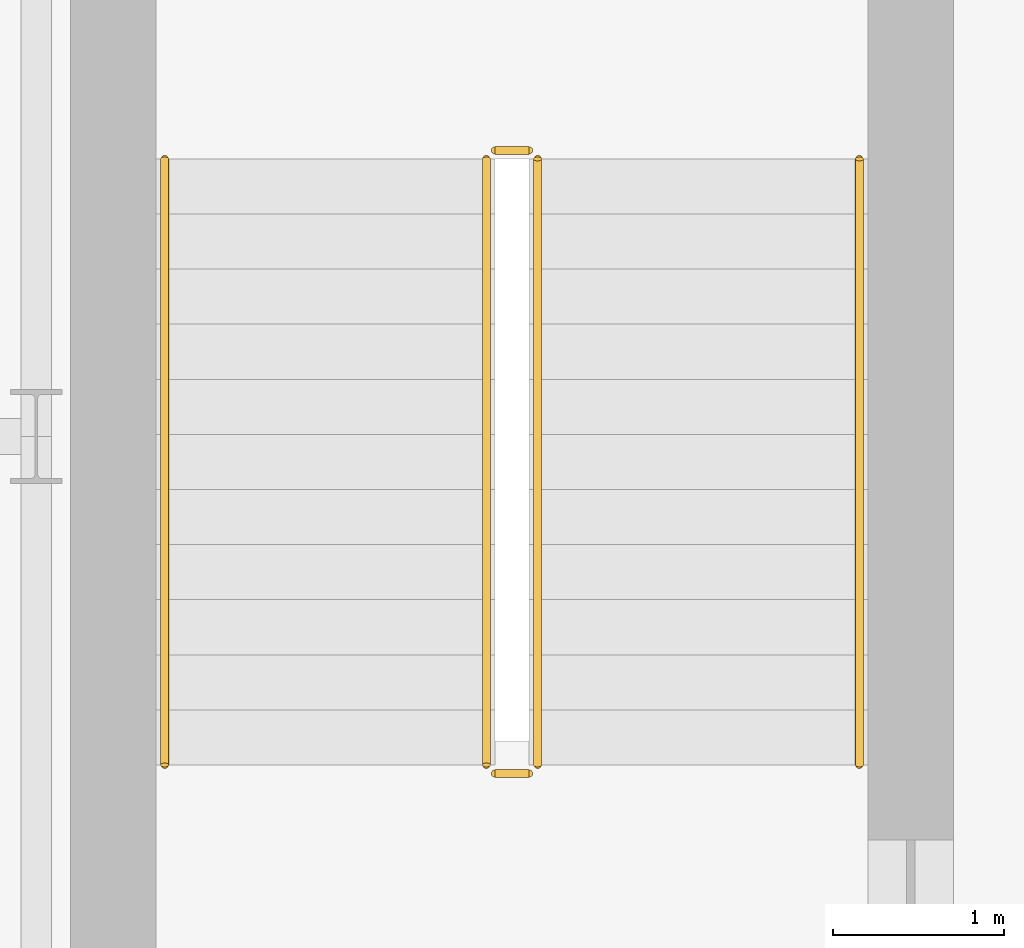
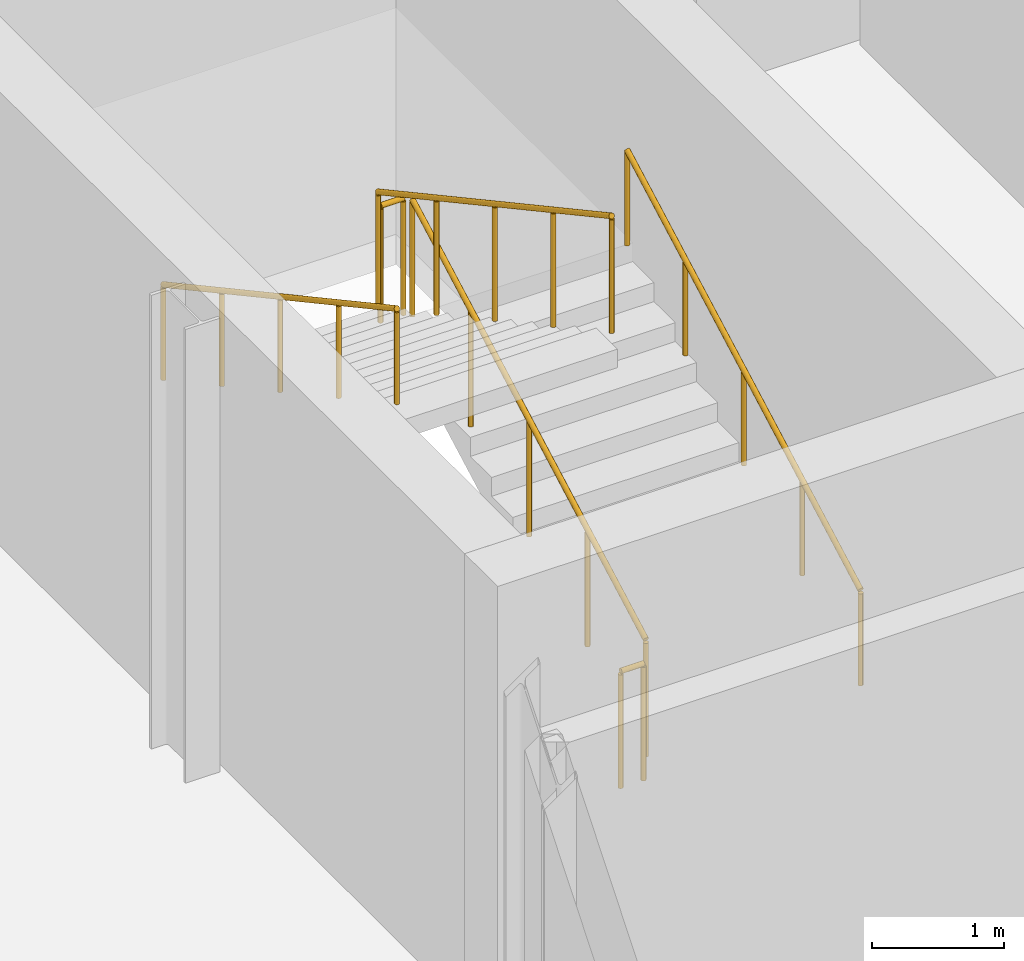
# One storey, part 55 of 58: 6 railings.
"""IFC4 building model written with IfcOpenShell, lengths in metres."""

import ifcopenshell
import ifcopenshell.guid

model = None  # the IFC model being written
_history = None  # IfcOwnerHistory: only IFC2X3 demands one
_inside = {}  # id of a spatial element -> (the spatial element, [elements in it])
_under = {}  # id of a project, library or spatial element -> (it, [spatial elements below it])
_declared = {}  # id of a project -> (the project, [libraries it declares])
_typed = {}  # id of a type object -> (the type object, [elements of that type])
_made_of = {}  # id of a material, layer set ... -> (it, [elements and type objects made of it])


def new_model(schema):
    """Start an empty IFC model of exactly this schema.

    Asked for "IFC4X3", IfcOpenShell would pick the latest addendum, in which some entities
    have other attributes; the version numbers below select the first issue.
    IFC2X3 requires an IfcOwnerHistory on every rooted entity: one is made here for all.
    """
    global model, _history
    if schema == "IFC4X3":
        model = ifcopenshell.file(schema_version=(4, 3, 0, 0))
    else:
        model = ifcopenshell.file(schema=schema)
    _inside.clear()
    _under.clear()
    _declared.clear()
    _typed.clear()
    _made_of.clear()
    _history = None
    if model.schema == "IFC2X3":
        org = make("IfcOrganization", Name="unknown")
        user = make(
            "IfcPersonAndOrganization",
            ThePerson=make("IfcPerson", FamilyName="unknown"),
            TheOrganization=org,
        )
        app = make(
            "IfcApplication",
            ApplicationDeveloper=org,
            Version="unknown",
            ApplicationFullName="unknown",
            ApplicationIdentifier="unknown",
        )
        _history = make(
            "IfcOwnerHistory",
            OwningUser=user,
            OwningApplication=app,
            ChangeAction="ADDED",
            CreationDate=0,
        )
    return model


def make(cls, **values):
    """One entity of the class cls with the attributes given. An attribute that is None is left unset."""
    return model.create_entity(
        cls, **{name: value for name, value in values.items() if value is not None}
    )


def rooted(cls, **values):
    """An entity with a GlobalId (a new one), such as an element, a storey or a relation."""
    return make(cls, GlobalId=ifcopenshell.guid.new(), OwnerHistory=_history, **values)


def si_unit(unit_type, name, prefix=None):
    """IfcSIUnit, for example si_unit("LENGTHUNIT", "METRE", prefix="MILLI")."""
    return make("IfcSIUnit", UnitType=unit_type, Prefix=prefix, Name=name)


def assignment(units):
    """IfcUnitAssignment: the units of a project."""
    return None if units is None else make("IfcUnitAssignment", Units=units)


def point(xyz):
    """IfcCartesianPoint."""
    return None if xyz is None else make("IfcCartesianPoint", Coordinates=xyz)


def direction(xyz):
    """IfcDirection."""
    return None if xyz is None else make("IfcDirection", DirectionRatios=xyz)


def frame(location, z_axis=None, x_axis=None):
    """IfcAxis2Placement3D, a coordinate frame: its origin and axes. An axis left out is left unset."""
    return make(
        "IfcAxis2Placement3D",
        Location=point(location),
        Axis=direction(z_axis),
        RefDirection=direction(x_axis),
    )


def frame_2d(location, x_axis=None):
    """IfcAxis2Placement2D, a coordinate frame in the plane: its origin and x axis."""
    return make(
        "IfcAxis2Placement2D", Location=point(location), RefDirection=direction(x_axis)
    )


def origin():
    """The frame at (0, 0, 0) with its axes left unset."""
    return frame((0.0, 0.0, 0.0))


def origin_2d():
    """The frame at (0, 0) in the plane with its x axis left unset."""
    return frame_2d((0.0, 0.0))


def place(relative_to, where):
    """IfcLocalPlacement: puts the frame where relative to a parent placement (None: the world)."""
    return make(
        "IfcLocalPlacement", PlacementRelTo=relative_to, RelativePlacement=where
    )


def context(
    kind, dimensions, precision=None, world=None, true_north=None, identifier=None
):
    """IfcGeometricRepresentationContext, for example the 3D "Model" context."""
    return make(
        "IfcGeometricRepresentationContext",
        ContextIdentifier=identifier,
        ContextType=kind,
        CoordinateSpaceDimension=dimensions,
        Precision=precision,
        WorldCoordinateSystem=world,
        TrueNorth=true_north,
    )


def subcontext(parent, identifier, kind, view, scale=None):
    """IfcGeometricRepresentationSubContext, for example "Body" below "Model"."""
    return make(
        "IfcGeometricRepresentationSubContext",
        ContextIdentifier=identifier,
        ContextType=kind,
        ParentContext=parent,
        TargetScale=scale,
        TargetView=view,
    )


def project(units=None, contexts=None):
    """IfcProject with its units and contexts."""
    return rooted(
        "IfcProject",
        Name="project",
        RepresentationContexts=contexts,
        UnitsInContext=assignment(units),
    )


def spatial(cls, under=None, at=None, **own):
    """A site, building, storey or space (cls), placed at a placement, below another one or the project."""
    s = rooted(cls, ObjectPlacement=at, **own)
    if under is not None:
        _under.setdefault(under.id(), (under, []))[1].append(s)
    return s


def profile(cls, at=None, kind="AREA", **sizes):
    """A parametric profile (cls). Its sizes go by their IFC names, for example OverallWidth=200.0."""
    return make(cls, ProfileType=kind, Position=at, **sizes)


def circle(**sizes):
    """IfcCircleProfileDef."""
    return profile("IfcCircleProfileDef", **sizes)


def extrude(swept, where, along, depth):
    """IfcExtrudedAreaSolid: the profile swept, set in the frame where, extruded along a direction by depth."""
    return make(
        "IfcExtrudedAreaSolid",
        SweptArea=swept,
        Position=where,
        ExtrudedDirection=direction(along),
        Depth=depth,
    )


def shape(context_of_items, identifier, shape_type, items):
    """IfcShapeRepresentation: the items that make up one representation, for example the "Body"."""
    return make(
        "IfcShapeRepresentation",
        ContextOfItems=context_of_items,
        RepresentationIdentifier=identifier,
        RepresentationType=shape_type,
        Items=items,
    )


def material(Name=None, Category=None):
    """IfcMaterial."""
    return make("IfcMaterial", Name=Name, Category=Category)


def made_of(thing, what):
    """Note that an element or type object is made of a material, layer set ...; save() writes the relation."""
    if what is not None:
        _made_of.setdefault(what.id(), (what, []))[1].append(thing)
    return thing


def type_object(cls, material=None, **own):
    """A type object (cls), such as IfcWallType, which elements share."""
    return made_of(rooted(cls, **own), material)


def element(
    cls,
    number,
    at=None,
    inside=None,
    cuts=None,
    type_object=None,
    material=None,
    context=None,
    identifier="Body",
    shape_type=None,
    held_by="IfcProductDefinitionShape",
    body=None,
    shapes=None,
    **own,
):
    """One element of the class cls, such as IfcWall. Its Tag is "e" and its number.

    at: its placement. inside: the storey or other place that contains it. cuts: it is an
    opening in that element (IfcRelVoidsElement). A single representation is given by context,
    identifier, shape_type and body (its items); several are given by shapes. held_by: the class
    of the entity that holds the representations. save() writes the other relations.
    """
    e = rooted(cls, Tag="e%d" % number, ObjectPlacement=at, **own)
    if body is not None:
        shapes = [shape(context, identifier, shape_type, body)]
    if shapes is not None:
        e.Representation = make(held_by, Representations=shapes)
    if inside is not None:
        _inside.setdefault(inside.id(), (inside, []))[1].append(e)
    if cuts is not None:
        rooted(
            "IfcRelVoidsElement", RelatingBuildingElement=cuts, RelatedOpeningElement=e
        )
    if type_object is not None:
        _typed.setdefault(type_object.id(), (type_object, []))[1].append(e)
    return made_of(e, material)


def aggregate(whole, parts):
    """IfcRelAggregates: a whole, such as a stair, and the parts it consists of."""
    return rooted("IfcRelAggregates", RelatingObject=whole, RelatedObjects=parts)


def save(model, path):
    """Write the relations noted so far, then the file.

    IfcRelAggregates (storeys below a building ...), IfcRelContainedInSpatialStructure (elements
    in a storey), IfcRelDefinesByType, IfcRelAssociatesMaterial and IfcRelDeclares: one each for
    every whole, place, type object, material and project.
    """
    for whole, parts in _under.values():
        aggregate(whole, parts)
    for where, things in _inside.values():
        rooted(
            "IfcRelContainedInSpatialStructure",
            RelatedElements=things,
            RelatingStructure=where,
        )
    for kind, things in _typed.values():
        rooted("IfcRelDefinesByType", RelatedObjects=things, RelatingType=kind)
    for what, things in _made_of.values():
        rooted("IfcRelAssociatesMaterial", RelatedObjects=things, RelatingMaterial=what)
    for by, libraries in _declared.values():
        rooted("IfcRelDeclares", RelatingContext=by, RelatedDefinitions=libraries)
    model.write(path)


model = new_model("IFC4")

# Units and contexts
model_context = context("Model", 3, precision=1e-05, world=origin(), true_north=direction((0.0, 1.0)))
body_context = subcontext(model_context, "Body", "Model", "MODEL_VIEW")
ifc_project = project(units=[si_unit("LENGTHUNIT", "METRE"), si_unit("AREAUNIT", "SQUARE_METRE"), si_unit("VOLUMEUNIT", "CUBIC_METRE"), si_unit("PLANEANGLEUNIT", "RADIAN"), si_unit("MASSUNIT", "GRAM", prefix="KILO")], contexts=[model_context])

# Site, building, storey
site_placement = place(None, origin())
site = spatial("IfcSite", under=ifc_project, at=site_placement, CompositionType="ELEMENT")
building_placement = place(site_placement, origin())
building = spatial("IfcBuilding", under=site, at=building_placement, Name="Sefraquen Railside Congress Hotel", CompositionType="ELEMENT")
storey_placement = place(building_placement, frame((0.0, 0.0, 16.199951171875)))
storey = spatial("IfcBuildingStorey", under=building, at=storey_placement, Name="L03", CompositionType="ELEMENT", Elevation=16.199951171875)

# Railings
ifc_material = material(Name="Patinated wrought architectural bronze", Category="metal")
railing_type_1 = type_object("IfcRailingType", Name="TRL-BAL-110", PredefinedType="BALUSTRADE", material=ifc_material)
railing_1_placement = place(storey_placement, frame((28.1298828125, 99.47998046875, 0.175048828125)))
element("IfcRailing", 1, at=railing_1_placement, inside=storey, type_object=railing_type_1, Name="L03 ST-H02 stair guard 1", PredefinedType="BALUSTRADE", context=body_context, shape_type="SweptSolid", body=[
    extrude(circle(Radius=0.02392578125, at=origin_2d()), frame((0.0, 0.0, 1.076171875), z_axis=(0.0, 0.878618985891, 0.477523483854), x_axis=(-1.0, 0.0, 0.0)), (0.0, 0.0, 1.0), 4.03125),
    extrude(circle(Radius=0.02099609375, at=origin_2d()), origin(), (0.0, 0.0, 1.0), 1.052001953125),
    extrude(circle(Radius=0.02099609375, at=origin_2d()), frame((0.0, 0.885498046875, 0.481201171875)), (0.0, 0.0, 1.0), 1.052001953125),
    extrude(circle(Radius=0.02099609375, at=origin_2d()), frame((0.0, 1.77099609375, 0.96240234375)), (0.0, 0.0, 1.0), 1.052001953125),
    extrude(circle(Radius=0.02099609375, at=origin_2d()), frame((0.0, 2.656494140625, 1.44384765625)), (0.0, 0.0, 1.0), 1.052001953125),
    extrude(circle(Radius=0.02099609375, at=origin_2d()), frame((0.0, 3.5419921875, 1.925048828125)), (0.0, 0.0, 1.0), 1.052001953125),
])
railing_2_placement = place(storey_placement, frame((28.080078125, 103.072021484375, 2.10009765625)))
element("IfcRailing", 2, at=railing_2_placement, inside=storey, type_object=railing_type_1, Name="L03 ST-H02 stair guard 2", PredefinedType="BALUSTRADE", context=body_context, shape_type="SweptSolid", body=[
    extrude(circle(Radius=0.02392578125, at=origin_2d()), frame((0.0, 0.0, 1.076171875), z_axis=(-1.0, 0.0, 0.0), x_axis=(0.0, -1.0, 0.0)), (0.0, 0.0, 1.0), 0.2001953125),
    extrude(circle(Radius=0.02099609375, at=origin_2d()), origin(), (0.0, 0.0, 1.0), 1.052001953125),
    extrude(circle(Radius=0.02099609375, at=origin_2d()), frame((-0.2001953125, 0.0, 0.0)), (0.0, 0.0, 1.0), 1.052001953125),
])
railing_3_placement = place(storey_placement, frame((27.830078125, 103.02197265625, 2.275146484375)))
element("IfcRailing", 3, at=railing_3_placement, inside=storey, type_object=railing_type_1, Name="L03 ST-H02 stair guard 3", PredefinedType="BALUSTRADE", context=body_context, shape_type="SweptSolid", body=[
    extrude(circle(Radius=0.02392578125, at=origin_2d()), frame((0.0, 0.0, 1.076171875), z_axis=(0.0, -0.878644394428, 0.477476730471), x_axis=(1.0, 0.0, 0.0)), (0.0, 0.0, 1.0), 4.03125),
    extrude(circle(Radius=0.02099609375, at=origin_2d()), origin(), (0.0, 0.0, 1.0), 1.052001953125),
    extrude(circle(Radius=0.02099609375, at=origin_2d()), frame((0.0, -0.885498046875, 0.481201171875)), (0.0, 0.0, 1.0), 1.052001953125),
    extrude(circle(Radius=0.02099609375, at=origin_2d()), frame((0.0, -1.77099609375, 0.96240234375)), (0.0, 0.0, 1.0), 1.052001953125),
    extrude(circle(Radius=0.02099609375, at=origin_2d()), frame((0.0, -2.656494140625, 1.443603515625)), (0.0, 0.0, 1.0), 1.052001953125),
    extrude(circle(Radius=0.02099609375, at=origin_2d()), frame((0.0, -3.5419921875, 1.9248046875)), (0.0, 0.0, 1.0), 1.052001953125),
])
railing_4_placement = place(storey_placement, frame((28.080078125, 99.429931640625, 0.0)))
element("IfcRailing", 4, at=railing_4_placement, inside=storey, type_object=railing_type_1, Name="L03 ST-H02 stair guard 4", PredefinedType="BALUSTRADE", context=body_context, shape_type="SweptSolid", body=[
    extrude(circle(Radius=0.02392578125, at=origin_2d()), frame((0.0, 0.0, 1.076171875), z_axis=(-1.0, 0.0, 0.0), x_axis=(0.0, -1.0, 0.0)), (0.0, 0.0, 1.0), 0.2001953125),
    extrude(circle(Radius=0.02099609375, at=origin_2d()), origin(), (0.0, 0.0, 1.0), 1.052001953125),
    extrude(circle(Radius=0.02099609375, at=origin_2d()), frame((-0.2001953125, 0.0, 0.0)), (0.0, 0.0, 1.0), 1.052001953125),
])
railing_type_2 = type_object("IfcRailingType", Name="TRL-HR-090", PredefinedType="HANDRAIL", material=ifc_material)
railing_5_placement = place(storey_placement, frame((30.010009765625, 99.47998046875, 0.175048828125)))
element("IfcRailing", 5, at=railing_5_placement, inside=storey, type_object=railing_type_2, Name="L03 ST-H02 stair handrail 1", PredefinedType="HANDRAIL", context=body_context, shape_type="SweptSolid", body=[
    extrude(circle(Radius=0.02392578125, at=origin_2d()), frame((0.0, 0.0, 0.8759765625), z_axis=(0.0, 0.878618985891, 0.477523483854), x_axis=(-1.0, 0.0, 0.0)), (0.0, 0.0, 1.0), 4.03125),
    extrude(circle(Radius=0.02099609375, at=origin_2d()), origin(), (0.0, 0.0, 1.0), 0.851806640625),
    extrude(circle(Radius=0.02099609375, at=origin_2d()), frame((0.0, 0.885498046875, 0.481201171875)), (0.0, 0.0, 1.0), 0.851806640625),
    extrude(circle(Radius=0.02099609375, at=origin_2d()), frame((0.0, 1.77099609375, 0.96240234375)), (0.0, 0.0, 1.0), 0.851806640625),
    extrude(circle(Radius=0.02099609375, at=origin_2d()), frame((0.0, 2.656494140625, 1.44384765625)), (0.0, 0.0, 1.0), 0.851806640625),
    extrude(circle(Radius=0.02099609375, at=origin_2d()), frame((0.0, 3.5419921875, 1.925048828125)), (0.0, 0.0, 1.0), 0.851806640625),
])
railing_6_placement = place(storey_placement, frame((25.949951171875, 103.02197265625, 2.275146484375)))
element("IfcRailing", 6, at=railing_6_placement, inside=storey, type_object=railing_type_2, Name="L03 ST-H02 stair handrail 2", PredefinedType="HANDRAIL", context=body_context, shape_type="SweptSolid", body=[
    extrude(circle(Radius=0.02392578125, at=origin_2d()), frame((0.0, 0.0, 0.8759765625), z_axis=(0.0, -0.878644394428, 0.477476730471), x_axis=(1.0, 0.0, 0.0)), (0.0, 0.0, 1.0), 4.03125),
    extrude(circle(Radius=0.02099609375, at=origin_2d()), origin(), (0.0, 0.0, 1.0), 0.851806640625),
    extrude(circle(Radius=0.02099609375, at=origin_2d()), frame((0.0, -0.885498046875, 0.481201171875)), (0.0, 0.0, 1.0), 0.851806640625),
    extrude(circle(Radius=0.02099609375, at=origin_2d()), frame((0.0, -1.77099609375, 0.96240234375)), (0.0, 0.0, 1.0), 0.851806640625),
    extrude(circle(Radius=0.02099609375, at=origin_2d()), frame((0.0, -2.656494140625, 1.443603515625)), (0.0, 0.0, 1.0), 0.851806640625),
    extrude(circle(Radius=0.02099609375, at=origin_2d()), frame((0.0, -3.5419921875, 1.9248046875)), (0.0, 0.0, 1.0), 0.851806640625),
])

save(model, "model.ifc")
